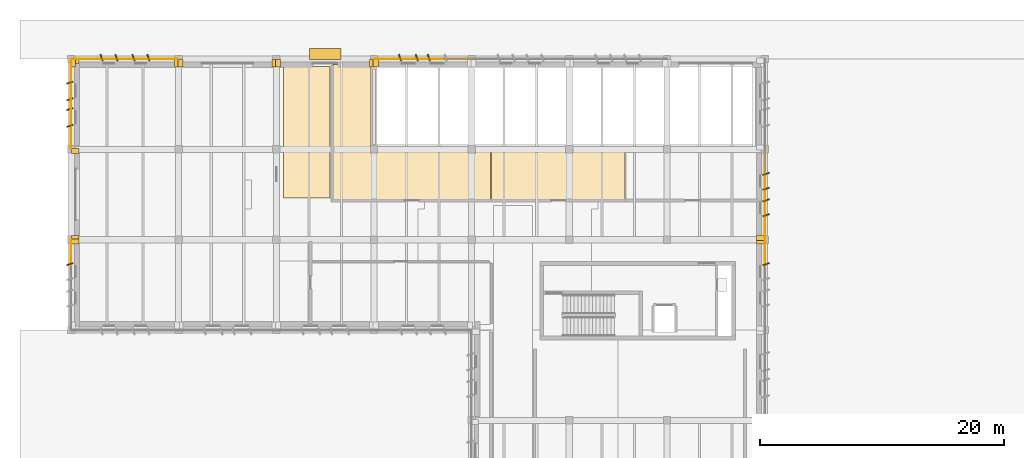
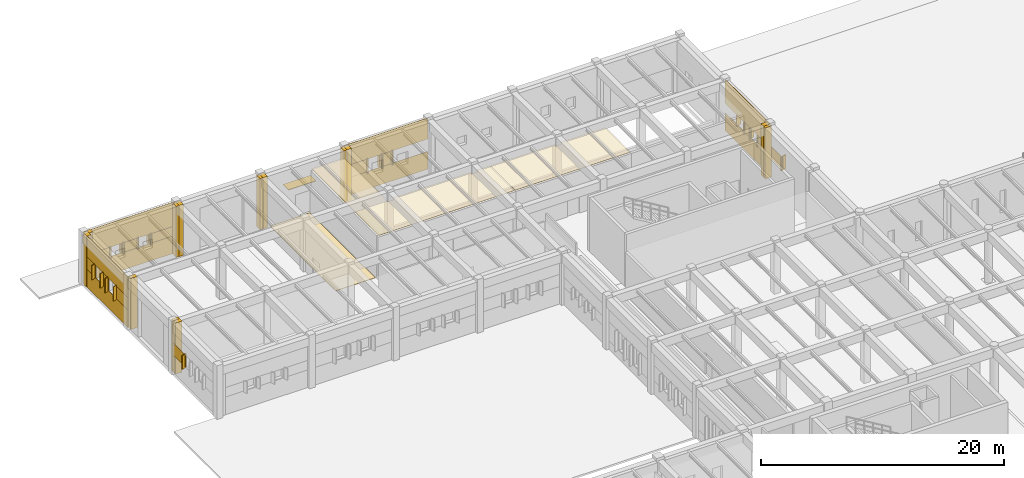
# One storey, part 45 of 56: 53 coverings, 1 shading device.
"""IFC4 building model written with IfcOpenShell, lengths in metres."""

from ifc_helpers import new_model, si_unit, direction, frame, frame_2d, origin, origin_2d, place, context, subcontext, project, spatial, polyline, rectangle, outline, extrude, material, layer, layer_set, type_object, element, save


model = new_model("IFC4")

# Units and contexts
model_context = context("Model", 3, precision=1e-05, world=origin(), true_north=direction((0.0, 1.0)))
body_context = subcontext(model_context, "Body", "Model", "MODEL_VIEW")
ifc_project = project(units=[si_unit("LENGTHUNIT", "METRE"), si_unit("AREAUNIT", "SQUARE_METRE"), si_unit("VOLUMEUNIT", "CUBIC_METRE"), si_unit("PLANEANGLEUNIT", "RADIAN"), si_unit("MASSUNIT", "GRAM", prefix="KILO")], contexts=[model_context])

# Site, building, storey
site_placement = place(None, origin())
site = spatial("IfcSite", under=ifc_project, at=site_placement, CompositionType="ELEMENT")
building_placement = place(site_placement, origin())
building = spatial("IfcBuilding", under=site, at=building_placement, Name="Valkorina Park Police Headquarters", CompositionType="ELEMENT")
storey_placement = place(building_placement, origin())
storey = spatial("IfcBuildingStorey", under=building, at=storey_placement, Name="L01", CompositionType="ELEMENT", Elevation=0.0)

# Coverings
ifc_material_1 = material(Name="Acoustic mineral board")
ifc_layer_1 = layer(ifc_material_1, 0.02490234375)
ifc_layer_set_1 = layer_set([ifc_layer_1], Name="Acoustic mineral board")
covering_type_1 = type_object("IfcCoveringType", Name="COV-CEILING-ACOUST", PredefinedType="CEILING", material=ifc_layer_set_1)
covering_1_placement = place(storey_placement, frame((0.0, 0.0, 4.264892578125)))
element("IfcCovering", 1, at=covering_1_placement, inside=storey, type_object=covering_type_1, Name="Custody Charge and Booking Hall Acoustic Suspended Ceiling", PredefinedType="CEILING", context=body_context, shape_type="SweptSolid", body=[
    extrude(outline(polyline([(25.10009765625, 103.54931640625), (25.10009765625, 103.300048828125), (24.5, 103.300048828125), (24.5, 103.89990234375), (24.54931640625, 103.89990234375), (24.550537109375, 103.90234375), (24.553955078125, 103.909423828125), (24.556640625, 103.916748046875), (24.55859375, 103.92431640625), (24.5595703125, 103.93212890625), (24.56005859375, 103.93994140625), (24.56005859375, 110.39794921875), (24.561279296875, 110.423583984375), (24.564697265625, 110.44677734375), (24.568115234375, 110.460693359375), (24.569580078125, 110.468017578125), (24.5703125, 110.4755859375), (24.570556640625, 110.4833984375), (24.56982421875, 110.490966796875), (24.568359375, 110.498291015625), (24.56640625, 110.505859375), (24.5634765625, 110.512939453125), (24.56005859375, 110.519775390625), (24.555908203125, 110.526123046875), (24.55126953125, 110.5322265625), (24.5458984375, 110.53759765625), (24.540283203125, 110.542724609375), (24.533935546875, 110.547119140625), (24.52734375, 110.551025390625), (24.5205078125, 110.55419921875), (24.51318359375, 110.556640625), (24.505859375, 110.55859375), (24.498291015625, 110.5595703125), (24.490478515625, 110.56005859375), (21.52001953125, 110.56005859375), (21.51220703125, 110.5595703125), (21.50439453125, 110.55859375), (21.496826171875, 110.556640625), (21.489501953125, 110.553955078125), (21.482421875, 110.550537109375), (21.4755859375, 110.54638671875), (21.46923828125, 110.541748046875), (21.46337890625, 110.53662109375), (21.458251953125, 110.53076171875), (21.45361328125, 110.5244140625), (21.449462890625, 110.517578125), (21.446044921875, 110.510498046875), (21.443359375, 110.503173828125), (21.44140625, 110.49560546875), (21.4404296875, 110.48779296875), (21.43994140625, 110.47998046875), (21.43994140625, 99.52001953125), (21.4404296875, 99.51220703125), (21.44140625, 99.50439453125), (21.443359375, 99.496826171875), (21.446044921875, 99.489501953125), (21.449462890625, 99.482421875), (21.45361328125, 99.4755859375), (21.458251953125, 99.46923828125), (21.46337890625, 99.46337890625), (21.46923828125, 99.458251953125), (21.4755859375, 99.45361328125), (21.482421875, 99.449462890625), (21.489501953125, 99.446044921875), (21.496826171875, 99.443359375), (21.50439453125, 99.44140625), (21.51220703125, 99.4404296875), (21.52001953125, 99.43994140625), (34.280029296875, 99.43994140625), (34.287841796875, 99.4404296875), (34.295654296875, 99.44140625), (34.30322265625, 99.443359375), (34.310546875, 99.446044921875), (34.317626953125, 99.449462890625), (34.324462890625, 99.45361328125), (34.330810546875, 99.458251953125), (34.336669921875, 99.46337890625), (34.341796875, 99.46923828125), (34.346435546875, 99.4755859375), (34.3505859375, 99.482421875), (34.35400390625, 99.489501953125), (34.356689453125, 99.496826171875), (34.3583984375, 99.50439453125), (34.359619140625, 99.51220703125), (34.360107421875, 99.52001953125), (34.360107421875, 103.47998046875), (34.359619140625, 103.48779296875), (34.3583984375, 103.49560546875), (34.356689453125, 103.503173828125), (34.35400390625, 103.510498046875), (34.3505859375, 103.517578125), (34.346435546875, 103.5244140625), (34.341796875, 103.53076171875), (34.336669921875, 103.53662109375), (34.330810546875, 103.541748046875), (34.324462890625, 103.54638671875), (34.317626953125, 103.550537109375), (34.310546875, 103.553955078125), (34.30322265625, 103.556640625), (34.295654296875, 103.55859375), (34.287841796875, 103.5595703125), (34.280029296875, 103.56005859375), (33.139892578125, 103.56005859375), (33.132080078125, 103.5595703125), (33.12451171875, 103.55859375), (33.11669921875, 103.556640625), (33.109375, 103.553955078125), (33.102294921875, 103.550537109375), (33.10009765625, 103.54931640625), (33.10009765625, 103.300048828125), (32.5, 103.300048828125), (32.5, 103.54931640625), (32.497802734375, 103.550537109375), (32.490478515625, 103.553955078125), (32.483154296875, 103.556640625), (32.4755859375, 103.55859375), (32.4677734375, 103.5595703125), (32.4599609375, 103.56005859375), (25.139892578125, 103.56005859375), (25.132080078125, 103.5595703125), (25.12451171875, 103.55859375), (25.11669921875, 103.556640625), (25.109375, 103.553955078125), (25.102294921875, 103.550537109375), (25.10009765625, 103.54931640625)])), origin(), (0.0, 0.0, 1.0), 0.025146484375),
])
covering_2_placement = place(storey_placement, frame((0.0, 0.0, 4.264892578125)))
element("IfcCovering", 2, at=covering_2_placement, inside=storey, type_object=covering_type_1, Name="Biometrics and Breathalyser Room Acoustic Suspended Ceiling", PredefinedType="CEILING", context=body_context, shape_type="SweptSolid", body=[
    extrude(outline(polyline([(45.3583984375, 99.50439453125), (45.359619140625, 99.51220703125), (45.360107421875, 99.52001953125), (45.360107421875, 103.47998046875), (45.359619140625, 103.48779296875), (45.3583984375, 103.49560546875), (45.356689453125, 103.503173828125), (45.35400390625, 103.510498046875), (45.3505859375, 103.517578125), (45.346435546875, 103.5244140625), (45.341796875, 103.53076171875), (45.336669921875, 103.53662109375), (45.330810546875, 103.541748046875), (45.324462890625, 103.54638671875), (45.317626953125, 103.550537109375), (45.310546875, 103.553955078125), (45.30322265625, 103.556640625), (45.295654296875, 103.55859375), (45.287841796875, 103.5595703125), (45.280029296875, 103.56005859375), (41.139892578125, 103.56005859375), (41.132080078125, 103.5595703125), (41.12451171875, 103.55859375), (41.11669921875, 103.556640625), (41.109375, 103.553955078125), (41.102294921875, 103.550537109375), (41.10009765625, 103.54931640625), (41.10009765625, 103.300048828125), (40.5, 103.300048828125), (40.5, 103.54931640625), (40.497802734375, 103.550537109375), (40.490478515625, 103.553955078125), (40.483154296875, 103.556640625), (40.4755859375, 103.55859375), (40.4677734375, 103.5595703125), (40.4599609375, 103.56005859375), (34.52001953125, 103.56005859375), (34.51220703125, 103.5595703125), (34.50439453125, 103.55859375), (34.496826171875, 103.556640625), (34.489501953125, 103.553955078125), (34.482421875, 103.550537109375), (34.4755859375, 103.54638671875), (34.46923828125, 103.541748046875), (34.46337890625, 103.53662109375), (34.458251953125, 103.53076171875), (34.45361328125, 103.5244140625), (34.449462890625, 103.517578125), (34.446044921875, 103.510498046875), (34.443359375, 103.503173828125), (34.44140625, 103.49560546875), (34.4404296875, 103.48779296875), (34.43994140625, 103.47998046875), (34.43994140625, 99.52001953125), (34.4404296875, 99.51220703125), (34.44140625, 99.50439453125), (34.443359375, 99.496826171875), (34.446044921875, 99.489501953125), (34.449462890625, 99.482421875), (34.45361328125, 99.4755859375), (34.458251953125, 99.46923828125), (34.46337890625, 99.46337890625), (34.46923828125, 99.458251953125), (34.4755859375, 99.45361328125), (34.482421875, 99.449462890625), (34.489501953125, 99.446044921875), (34.496826171875, 99.443359375), (34.50439453125, 99.44140625), (34.51220703125, 99.4404296875), (34.52001953125, 99.43994140625), (45.280029296875, 99.43994140625), (45.287841796875, 99.4404296875), (45.295654296875, 99.44140625), (45.30322265625, 99.443359375), (45.310546875, 99.446044921875), (45.317626953125, 99.449462890625), (45.324462890625, 99.45361328125), (45.330810546875, 99.458251953125), (45.336669921875, 99.46337890625), (45.341796875, 99.46923828125), (45.346435546875, 99.4755859375), (45.3505859375, 99.482421875), (45.35400390625, 99.489501953125), (45.356689453125, 99.496826171875), (45.3583984375, 99.50439453125)])), origin(), (0.0, 0.0, 1.0), 0.025146484375),
])
ifc_material_2 = material(Name="Precast concrete C40/50", Category="concrete")
ifc_layer_2 = layer(ifc_material_2, 0.044921875)
ifc_layer_set_2 = layer_set([ifc_layer_2], Name="Precast concrete C40/50")
covering_type_2 = type_object("IfcCoveringType", Name="COV-CLAD-DOLOMITE", PredefinedType="CLADDING", material=ifc_layer_set_2)
covering_3_placement = place(storey_placement, frame((0.340087890625, 96.06005859375, 0.0), z_axis=(0.0, 0.0, 1.0), x_axis=(0.0, 1.0, 0.0)))
element("IfcCovering", 3, at=covering_3_placement, inside=storey, type_object=covering_type_2, Name="L01 Exterior Joint Closure Pilaster B 0206", PredefinedType="CLADDING", context=body_context, shape_type="SweptSolid", body=[
    extrude(rectangle(XDim=0.419921875, YDim=0.612060546875, at=origin_2d()), origin(), (0.0, 0.0, 1.0), 5.139892578125),
])
covering_4_placement = place(storey_placement, frame((-0.1201171875, 94.19482421875, 1.68017578125), z_axis=(0.0, 0.0, 1.0), x_axis=(-0.948323655206, -0.317304656405, 0.0)))
element("IfcCovering", 4, at=covering_4_placement, inside=storey, type_object=covering_type_2, Name="Slanted 18.5-deg Precast Window Slot Fin 0210", PredefinedType="CLADDING", context=body_context, shape_type="SweptSolid", body=[
    extrude(rectangle(XDim=0.5400390625, YDim=0.090087890625, at=origin_2d()), origin(), (0.0, 0.0, 1.0), 1.389892578125),
])
covering_5_placement = place(storey_placement, frame((-0.014892578125, 94.084716796875, 1.77001953125), z_axis=(0.0, 0.0, 1.0), x_axis=(0.0, 1.0, 0.0)))
element("IfcCovering", 5, at=covering_5_placement, inside=storey, type_object=covering_type_2, Name="L01 Calm Concrete Base Slot Pier 0215", PredefinedType="CLADDING", context=body_context, shape_type="SweptSolid", body=[
    extrude(rectangle(XDim=2.09521484375, YDim=0.044921875, at=frame_2d((1.047607421875, 0.0))), origin(), (0.0, 0.0, 1.0), 1.2099609375),
])
for number, where, z_axis, x_axis, name in (
    (6, (0.340087890625, 96.340087890625, 0.0), (0.0, 0.0, 1.0), (0.0, 1.0, 0.0), "L01 Exterior Joint Closure Pilaster A 0216"),
    (7, (0.340087890625, 103.4599609375, 0.0), (0.0, 0.0, 1.0), (0.0, 1.0, 0.0), "L01 Exterior Joint Closure Pilaster B 0217"),
    (8, (0.340087890625, 110.860107421875, 0.0), (0.0, 0.0, 1.0), (0.0, 1.0, 0.0), "L01 Exterior Joint Closure Pilaster B 0218"),
):
    element("IfcCovering", number, at=place(storey_placement, frame(where, z_axis=z_axis, x_axis=x_axis)), inside=storey, type_object=covering_type_2, Name=name, PredefinedType="CLADDING", context=body_context, shape_type="SweptSolid", body=[
        extrude(rectangle(XDim=0.419921875, YDim=0.612060546875, at=origin_2d()), origin(), (0.0, 0.0, 1.0), 5.139892578125),
    ])
for number, where, z_axis, x_axis, name in (
    (9, (-0.1201171875, 105.5302734375, 1.679931640625), (0.0, 0.0, 1.0), (-0.948323655206, -0.317304656405, 0.0), "Slanted 18.5-deg Precast Window Slot Fin 0219"),
    (10, (-0.1201171875, 106.900146484375, 1.679931640625), (0.0, 0.0, 1.0), (-0.948323655206, -0.317304656405, 0.0), "Slanted 18.5-deg Precast Window Slot Fin 0220"),
    (11, (-0.1201171875, 107.69970703125, 1.679931640625), (0.0, 0.0, 1.0), (-0.948323655206, -0.317304656405, 0.0), "Slanted 18.5-deg Precast Window Slot Fin 0221"),
    (12, (-0.1201171875, 109.06982421875, 1.679931640625), (0.0, 0.0, 1.0), (-0.948323655206, -0.317304656405, 0.0), "Slanted 18.5-deg Precast Window Slot Fin 0222"),
):
    element("IfcCovering", number, at=place(storey_placement, frame(where, z_axis=z_axis, x_axis=x_axis)), inside=storey, type_object=covering_type_2, Name=name, PredefinedType="CLADDING", context=body_context, shape_type="SweptSolid", body=[
        extrude(rectangle(XDim=0.5400390625, YDim=0.090087890625, at=origin_2d()), origin(), (0.0, 0.0, 1.0), 1.43994140625),
    ])
covering_6_placement = place(storey_placement, frame((-0.014892578125, 103.6201171875, 0.0), z_axis=(0.0, 0.0, 1.0), x_axis=(0.0, 1.0, 0.0)))
element("IfcCovering", 13, at=covering_6_placement, inside=storey, type_object=covering_type_2, Name="L01 Calm Concrete Base Sill Spandrel 0223", PredefinedType="CLADDING", context=body_context, shape_type="SweptSolid", body=[
    extrude(rectangle(XDim=7.35986328125, YDim=0.044921875, at=frame_2d((3.679931640625, 0.0))), origin(), (0.0, 0.0, 1.0), 1.77001953125),
])
covering_7_placement = place(storey_placement, frame((-0.014892578125, 103.6201171875, 3.030029296875), z_axis=(0.0, 0.0, 1.0), x_axis=(0.0, 1.0, 0.0)))
element("IfcCovering", 14, at=covering_7_placement, inside=storey, type_object=covering_type_2, Name="L01 Calm Concrete Base Lintel Spandrel 0224", PredefinedType="CLADDING", context=body_context, shape_type="SweptSolid", body=[
    extrude(rectangle(XDim=7.35986328125, YDim=0.044921875, at=frame_2d((3.679931640625, 0.0))), origin(), (0.0, 0.0, 1.0), 2.10986328125),
])
covering_8_placement = place(storey_placement, frame((-0.014892578125, 103.6201171875, 1.77001953125), z_axis=(0.0, 0.0, 1.0), x_axis=(0.0, 1.0, 0.0)))
element("IfcCovering", 15, at=covering_8_placement, inside=storey, type_object=covering_type_2, Name="L01 Calm Concrete Base Slot Pier 0225", PredefinedType="CLADDING", context=body_context, shape_type="SweptSolid", body=[
    extrude(rectangle(XDim=2.02001953125, YDim=0.044921875, at=frame_2d((1.010009765625, 0.0))), origin(), (0.0, 0.0, 1.0), 1.260009765625),
])
covering_9_placement = place(storey_placement, frame((-0.014892578125, 106.790283203125, 1.77001953125), z_axis=(0.0, 0.0, 1.0), x_axis=(0.0, 1.0, 0.0)))
element("IfcCovering", 16, at=covering_9_placement, inside=storey, type_object=covering_type_2, Name="L01 Calm Concrete Base Slot Pier 0226", PredefinedType="CLADDING", context=body_context, shape_type="SweptSolid", body=[
    extrude(rectangle(XDim=1.01953125, YDim=0.044921875, at=frame_2d((0.509765625, 0.0))), origin(), (0.0, 0.0, 1.0), 1.260009765625),
])
covering_10_placement = place(storey_placement, frame((-0.014892578125, 108.959716796875, 1.77001953125), z_axis=(0.0, 0.0, 1.0), x_axis=(0.0, 1.0, 0.0)))
element("IfcCovering", 17, at=covering_10_placement, inside=storey, type_object=covering_type_2, Name="L01 Calm Concrete Base Slot Pier 0227", PredefinedType="CLADDING", context=body_context, shape_type="SweptSolid", body=[
    extrude(rectangle(XDim=2.020263671875, YDim=0.044921875, at=frame_2d((1.01025390625, 0.0))), origin(), (0.0, 0.0, 1.0), 1.260009765625),
])
for number, where, z_axis, x_axis, name in (
    (18, (0.139892578125, 110.659912109375, 0.0), (0.0, 0.0, 1.0), (1.0, 0.0, 0.0), "L01 Exterior Joint Closure Pilaster A 0228"),
    (19, (8.659912109375, 110.659912109375, 0.0), (0.0, 0.0, 1.0), (1.0, 0.0, 0.0), "L01 Exterior Joint Closure Pilaster B 0229"),
):
    element("IfcCovering", number, at=place(storey_placement, frame(where, z_axis=z_axis, x_axis=x_axis)), inside=storey, type_object=covering_type_2, Name=name, PredefinedType="CLADDING", context=body_context, shape_type="SweptSolid", body=[
        extrude(rectangle(XDim=0.419921875, YDim=0.612060546875, at=origin_2d()), origin(), (0.0, 0.0, 1.0), 5.139892578125),
    ])
for number, where, z_axis, x_axis, name in (
    (20, (2.481201171875, 111.1201171875, 1.68017578125), (0.0, 0.0, 1.0), (-0.317304656405, 0.948323655206, 0.0), "Slanted 18.5-deg Precast Window Slot Fin 0230"),
    (21, (3.701171875, 111.1201171875, 1.68017578125), (0.0, 0.0, 1.0), (-0.317304656405, 0.948323655206, 0.0), "Slanted 18.5-deg Precast Window Slot Fin 0231"),
    (22, (5.098876953125, 111.1201171875, 1.68017578125), (0.0, 0.0, 1.0), (-0.317304656405, 0.948323655206, 0.0), "Slanted 18.5-deg Precast Window Slot Fin 0232"),
    (23, (6.31884765625, 111.1201171875, 1.68017578125), (0.0, 0.0, 1.0), (-0.317304656405, 0.948323655206, 0.0), "Slanted 18.5-deg Precast Window Slot Fin 0233"),
):
    element("IfcCovering", number, at=place(storey_placement, frame(where, z_axis=z_axis, x_axis=x_axis)), inside=storey, type_object=covering_type_2, Name=name, PredefinedType="CLADDING", context=body_context, shape_type="SweptSolid", body=[
        extrude(rectangle(XDim=0.5400390625, YDim=0.090087890625, at=origin_2d()), origin(), (0.0, 0.0, 1.0), 1.139892578125),
    ])
covering_11_placement = place(storey_placement, frame((0.02001953125, 111.014892578125, 0.0), z_axis=(0.0, 0.0, 1.0), x_axis=(1.0, 0.0, 0.0)))
element("IfcCovering", 24, at=covering_11_placement, inside=storey, type_object=covering_type_2, Name="L01 Calm Concrete Base Sill Spandrel 0234", PredefinedType="CLADDING", context=body_context, shape_type="SweptSolid", body=[
    extrude(rectangle(XDim=8.760009765625, YDim=0.044921875, at=frame_2d((4.3798828125, 0.0))), origin(), (0.0, 0.0, 1.0), 1.77001953125),
])
covering_12_placement = place(storey_placement, frame((0.02001953125, 111.014892578125, 2.72998046875), z_axis=(0.0, 0.0, 1.0), x_axis=(1.0, 0.0, 0.0)))
element("IfcCovering", 25, at=covering_12_placement, inside=storey, type_object=covering_type_2, Name="L01 Calm Concrete Base Lintel Spandrel 0235", PredefinedType="CLADDING", context=body_context, shape_type="SweptSolid", body=[
    extrude(rectangle(XDim=8.760009765625, YDim=0.044921875, at=frame_2d((4.3798828125, 0.0))), origin(), (0.0, 0.0, 1.0), 2.409912109375),
])
covering_13_placement = place(storey_placement, frame((0.02001953125, 111.014892578125, 1.77001953125), z_axis=(0.0, 0.0, 1.0), x_axis=(1.0, 0.0, 0.0)))
element("IfcCovering", 26, at=covering_13_placement, inside=storey, type_object=covering_type_2, Name="L01 Calm Concrete Base Slot Pier 0236", PredefinedType="CLADDING", context=body_context, shape_type="SweptSolid", body=[
    extrude(rectangle(XDim=2.5712890625, YDim=0.044921875, at=frame_2d((1.28564453125, 0.0))), origin(), (0.0, 0.0, 1.0), 0.9599609375),
])
covering_14_placement = place(storey_placement, frame((3.59130859375, 111.014892578125, 1.77001953125), z_axis=(0.0, 0.0, 1.0), x_axis=(1.0, 0.0, 0.0)))
element("IfcCovering", 27, at=covering_14_placement, inside=storey, type_object=covering_type_2, Name="L01 Calm Concrete Base Slot Pier 0237", PredefinedType="CLADDING", context=body_context, shape_type="SweptSolid", body=[
    extrude(rectangle(XDim=1.617431640625, YDim=0.044921875, at=frame_2d((0.80859375, 0.0))), origin(), (0.0, 0.0, 1.0), 0.9599609375),
])
covering_15_placement = place(storey_placement, frame((6.208740234375, 111.014892578125, 1.77001953125), z_axis=(0.0, 0.0, 1.0), x_axis=(1.0, 0.0, 0.0)))
element("IfcCovering", 28, at=covering_15_placement, inside=storey, type_object=covering_type_2, Name="L01 Calm Concrete Base Slot Pier 0238", PredefinedType="CLADDING", context=body_context, shape_type="SweptSolid", body=[
    extrude(rectangle(XDim=2.5712890625, YDim=0.044921875, at=frame_2d((1.28564453125, 0.0))), origin(), (0.0, 0.0, 1.0), 0.9599609375),
])
for number, where, z_axis, x_axis, name in (
    (29, (8.93994140625, 110.659912109375, 0.0), (0.0, 0.0, 1.0), (1.0, 0.0, 0.0), "L01 Exterior Joint Closure Pilaster A 0239"),
    (30, (16.659912109375, 110.659912109375, 0.0), (0.0, 0.0, 1.0), (1.0, 0.0, 0.0), "L01 Exterior Joint Closure Pilaster B 0240"),
    (31, (16.93994140625, 110.659912109375, 0.0), (0.0, 0.0, 1.0), (1.0, 0.0, 0.0), "L01 Exterior Joint Closure Pilaster A 0241"),
    (32, (24.659912109375, 110.659912109375, 0.0), (0.0, 0.0, 1.0), (1.0, 0.0, 0.0), "L01 Exterior Joint Closure Pilaster B 0242"),
    (33, (24.93994140625, 110.659912109375, 0.0), (0.0, 0.0, 1.0), (1.0, 0.0, 0.0), "L01 Exterior Joint Closure Pilaster A 0243"),
):
    element("IfcCovering", number, at=place(storey_placement, frame(where, z_axis=z_axis, x_axis=x_axis)), inside=storey, type_object=covering_type_2, Name=name, PredefinedType="CLADDING", context=body_context, shape_type="SweptSolid", body=[
        extrude(rectangle(XDim=0.419921875, YDim=0.612060546875, at=origin_2d()), origin(), (0.0, 0.0, 1.0), 5.139892578125),
    ])
for number, where, z_axis, x_axis, name in (
    (34, (26.93408203125, 111.1201171875, 1.679931640625), (0.0, 0.0, 1.0), (-0.317304656405, 0.948323655206, 0.0), "Slanted 18.5-deg Precast Window Slot Fin 0245"),
    (35, (28.30419921875, 111.1201171875, 1.679931640625), (0.0, 0.0, 1.0), (-0.317304656405, 0.948323655206, 0.0), "Slanted 18.5-deg Precast Window Slot Fin 0246"),
    (36, (29.2958984375, 111.1201171875, 1.679931640625), (0.0, 0.0, 1.0), (-0.317304656405, 0.948323655206, 0.0), "Slanted 18.5-deg Precast Window Slot Fin 0247"),
):
    element("IfcCovering", number, at=place(storey_placement, frame(where, z_axis=z_axis, x_axis=x_axis)), inside=storey, type_object=covering_type_2, Name=name, PredefinedType="CLADDING", context=body_context, shape_type="SweptSolid", body=[
        extrude(rectangle(XDim=0.5400390625, YDim=0.090087890625, at=origin_2d()), origin(), (0.0, 0.0, 1.0), 1.43994140625),
    ])
covering_16_placement = place(storey_placement, frame((24.820068359375, 111.014892578125, 0.0), z_axis=(0.0, 0.0, 1.0), x_axis=(1.0, 0.0, 0.0)))
element("IfcCovering", 37, at=covering_16_placement, inside=storey, type_object=covering_type_2, Name="L01 Calm Concrete Base Sill Spandrel 0249", PredefinedType="CLADDING", context=body_context, shape_type="SweptSolid", body=[
    extrude(rectangle(XDim=7.9599609375, YDim=0.044921875, at=frame_2d((3.97998046875, 0.0))), origin(), (0.0, 0.0, 1.0), 1.77001953125),
])
covering_17_placement = place(storey_placement, frame((24.820068359375, 111.014892578125, 3.030029296875), z_axis=(0.0, 0.0, 1.0), x_axis=(1.0, 0.0, 0.0)))
element("IfcCovering", 38, at=covering_17_placement, inside=storey, type_object=covering_type_2, Name="L01 Calm Concrete Base Lintel Spandrel 0250", PredefinedType="CLADDING", context=body_context, shape_type="SweptSolid", body=[
    extrude(rectangle(XDim=7.9599609375, YDim=0.044921875, at=frame_2d((3.97998046875, 0.0))), origin(), (0.0, 0.0, 1.0), 2.10986328125),
])
covering_18_placement = place(storey_placement, frame((24.820068359375, 111.014892578125, 1.77001953125), z_axis=(0.0, 0.0, 1.0), x_axis=(1.0, 0.0, 0.0)))
element("IfcCovering", 39, at=covering_18_placement, inside=storey, type_object=covering_type_2, Name="L01 Calm Concrete Base Slot Pier 0251", PredefinedType="CLADDING", context=body_context, shape_type="SweptSolid", body=[
    extrude(rectangle(XDim=2.22412109375, YDim=0.044921875, at=frame_2d((1.112060546875, 0.0))), origin(), (0.0, 0.0, 1.0), 1.260009765625),
])
covering_19_placement = place(storey_placement, frame((28.194091796875, 111.014892578125, 1.77001953125), z_axis=(0.0, 0.0, 1.0), x_axis=(1.0, 0.0, 0.0)))
element("IfcCovering", 40, at=covering_19_placement, inside=storey, type_object=covering_type_2, Name="L01 Calm Concrete Base Slot Pier 0252", PredefinedType="CLADDING", context=body_context, shape_type="SweptSolid", body=[
    extrude(rectangle(XDim=1.211669921875, YDim=0.044921875, at=frame_2d((0.60595703125, 0.0))), origin(), (0.0, 0.0, 1.0), 1.260009765625),
])
covering_20_placement = place(storey_placement, frame((56.4599609375, 96.340087890625, 0.0), z_axis=(0.0, 0.0, 1.0), x_axis=(0.0, 1.0, 0.0)))
element("IfcCovering", 41, at=covering_20_placement, inside=storey, type_object=covering_type_2, Name="L01 Exterior Joint Closure Pilaster B 0289", PredefinedType="CLADDING", context=body_context, shape_type="SweptSolid", body=[
    extrude(rectangle(XDim=0.419921875, YDim=0.612060546875, at=origin_2d()), origin(), (0.0, 0.0, 1.0), 5.139892578125),
])
for number, where, z_axis, x_axis, name in (
    (42, (56.919921875, 101.5947265625, 1.68017578125), (0.0, 0.0, 1.0), (0.948323655206, 0.317304656405, 0.0), "Slanted 18.5-deg Precast Window Slot Fin 0290"),
    (43, (56.919921875, 100.374755859375, 1.68017578125), (0.0, 0.0, 1.0), (0.948323655206, 0.317304656405, 0.0), "Slanted 18.5-deg Precast Window Slot Fin 0291"),
    (44, (56.919921875, 99.42529296875, 1.68017578125), (0.0, 0.0, 1.0), (0.948323655206, 0.317304656405, 0.0), "Slanted 18.5-deg Precast Window Slot Fin 0292"),
    (45, (56.919921875, 98.205078125, 1.68017578125), (0.0, 0.0, 1.0), (0.948323655206, 0.317304656405, 0.0), "Slanted 18.5-deg Precast Window Slot Fin 0293"),
):
    element("IfcCovering", number, at=place(storey_placement, frame(where, z_axis=z_axis, x_axis=x_axis)), inside=storey, type_object=covering_type_2, Name=name, PredefinedType="CLADDING", context=body_context, shape_type="SweptSolid", body=[
        extrude(rectangle(XDim=0.5400390625, YDim=0.090087890625, at=origin_2d()), origin(), (0.0, 0.0, 1.0), 1.139892578125),
    ])
covering_21_placement = place(storey_placement, frame((56.81494140625, 103.580078125, 0.0), z_axis=(0.0, 0.0, 1.0), x_axis=(0.0, -1.0, 0.0)))
element("IfcCovering", 46, at=covering_21_placement, inside=storey, type_object=covering_type_2, Name="L01 Calm Concrete Base Sill Spandrel 0294", PredefinedType="CLADDING", context=body_context, shape_type="SweptSolid", body=[
    extrude(rectangle(XDim=7.360107421875, YDim=0.044921875, at=frame_2d((3.68017578125, 0.0))), origin(), (0.0, 0.0, 1.0), 1.77001953125),
])
covering_22_placement = place(storey_placement, frame((56.81494140625, 103.580078125, 2.72998046875), z_axis=(0.0, 0.0, 1.0), x_axis=(0.0, -1.0, 0.0)))
element("IfcCovering", 47, at=covering_22_placement, inside=storey, type_object=covering_type_2, Name="L01 Calm Concrete Base Lintel Spandrel 0295", PredefinedType="CLADDING", context=body_context, shape_type="SweptSolid", body=[
    extrude(rectangle(XDim=7.360107421875, YDim=0.044921875, at=frame_2d((3.68017578125, 0.0))), origin(), (0.0, 0.0, 1.0), 2.409912109375),
])
covering_23_placement = place(storey_placement, frame((56.81494140625, 100.48486328125, 1.77001953125), z_axis=(0.0, 0.0, 1.0), x_axis=(0.0, -1.0, 0.0)))
element("IfcCovering", 48, at=covering_23_placement, inside=storey, type_object=covering_type_2, Name="L01 Calm Concrete Base Slot Pier 0297", PredefinedType="CLADDING", context=body_context, shape_type="SweptSolid", body=[
    extrude(rectangle(XDim=1.169677734375, YDim=0.044921875, at=frame_2d((0.5849609375, 0.0))), origin(), (0.0, 0.0, 1.0), 0.9599609375),
])
covering_24_placement = place(storey_placement, frame((56.81494140625, 98.315185546875, 1.77001953125), z_axis=(0.0, 0.0, 1.0), x_axis=(0.0, -1.0, 0.0)))
element("IfcCovering", 49, at=covering_24_placement, inside=storey, type_object=covering_type_2, Name="L01 Calm Concrete Base Slot Pier 0298", PredefinedType="CLADDING", context=body_context, shape_type="SweptSolid", body=[
    extrude(rectangle(XDim=2.09521484375, YDim=0.044921875, at=frame_2d((1.047607421875, 0.0))), origin(), (0.0, 0.0, 1.0), 0.9599609375),
])
covering_25_placement = place(storey_placement, frame((56.4599609375, 96.06005859375, 0.0), z_axis=(0.0, 0.0, 1.0), x_axis=(0.0, 1.0, 0.0)))
element("IfcCovering", 50, at=covering_25_placement, inside=storey, type_object=covering_type_2, Name="L01 Exterior Joint Closure Pilaster A 0299", PredefinedType="CLADDING", context=body_context, shape_type="SweptSolid", body=[
    extrude(rectangle(XDim=0.419921875, YDim=0.612060546875, at=origin_2d()), origin(), (0.0, 0.0, 1.0), 5.139892578125),
])
covering_26_placement = place(storey_placement, frame((56.919921875, 94.19482421875, 1.68017578125), z_axis=(0.0, 0.0, 1.0), x_axis=(0.948323655206, 0.317304656405, 0.0)))
element("IfcCovering", 51, at=covering_26_placement, inside=storey, type_object=covering_type_2, Name="Slanted 18.5-deg Precast Window Slot Fin 0301", PredefinedType="CLADDING", context=body_context, shape_type="SweptSolid", body=[
    extrude(rectangle(XDim=0.5400390625, YDim=0.090087890625, at=origin_2d()), origin(), (0.0, 0.0, 1.0), 1.389892578125),
])
covering_27_placement = place(storey_placement, frame((56.81494140625, 96.179931640625, 1.77001953125), z_axis=(0.0, 0.0, 1.0), x_axis=(0.0, -1.0, 0.0)))
element("IfcCovering", 52, at=covering_27_placement, inside=storey, type_object=covering_type_2, Name="L01 Calm Concrete Base Slot Pier 0307", PredefinedType="CLADDING", context=body_context, shape_type="SweptSolid", body=[
    extrude(rectangle(XDim=2.09521484375, YDim=0.044921875, at=frame_2d((1.047607421875, 0.0))), origin(), (0.0, 0.0, 1.0), 1.2099609375),
])
ifc_material_3 = material(Name="Resin terrazzo flooring")
ifc_layer_3 = layer(ifc_material_3, 0.030029296875)
ifc_layer_set_3 = layer_set([ifc_layer_3], Name="Resin terrazzo flooring")
covering_type_3 = type_object("IfcCoveringType", Name="COV-FLOOR-TERRAZZO", PredefinedType="FLOORING", material=ifc_layer_set_3)
covering_28_placement = place(storey_placement, origin())
element("IfcCovering", 53, at=covering_28_placement, inside=storey, type_object=covering_type_3, Name="Custody North Protected Exit Passageway Terrazzo Flooring", PredefinedType="FLOORING", context=body_context, shape_type="SweptSolid", body=[
    extrude(outline(polyline([(21.199951171875, 110.39990234375), (17.39990234375, 110.39990234375), (17.39990234375, 99.60009765625), (21.199951171875, 99.60009765625), (21.199951171875, 110.39990234375)])), origin(), (0.0, 0.0, 1.0), 0.030029296875),
])

# Shading device
ifc_material_4 = material(Name="Polychrome anodized aluminium - Baltic Amber", Category="aluminium")
ifc_layer_4 = layer(ifc_material_4, 0.054931640625)
ifc_layer_set_4 = layer_set([ifc_layer_4], Name="Polychrome anodized aluminium - Baltic Amber")
shading_device_type = type_object("IfcShadingDeviceType", Name="SHD-CANOPY-SUNSHADE", PredefinedType="JALOUSIE", material=ifc_layer_set_4)
shading_device_placement = place(storey_placement, frame((20.800048828125, 111.39990234375, 2.54248046875), z_axis=(0.0, 0.0, 1.0), x_axis=(1.0, 0.0, 0.0)))
element("IfcShadingDevice", 54, at=shading_device_placement, inside=storey, type_object=shading_device_type, Name="L01 Entrance Canopy Sunshade 004", PredefinedType="JALOUSIE", context=body_context, shape_type="SweptSolid", body=[
    extrude(rectangle(XDim=2.60009765625, YDim=0.89990234375, at=origin_2d()), origin(), (0.0, 0.0, 1.0), 0.054931640625),
])

save(model, "model.ifc")
